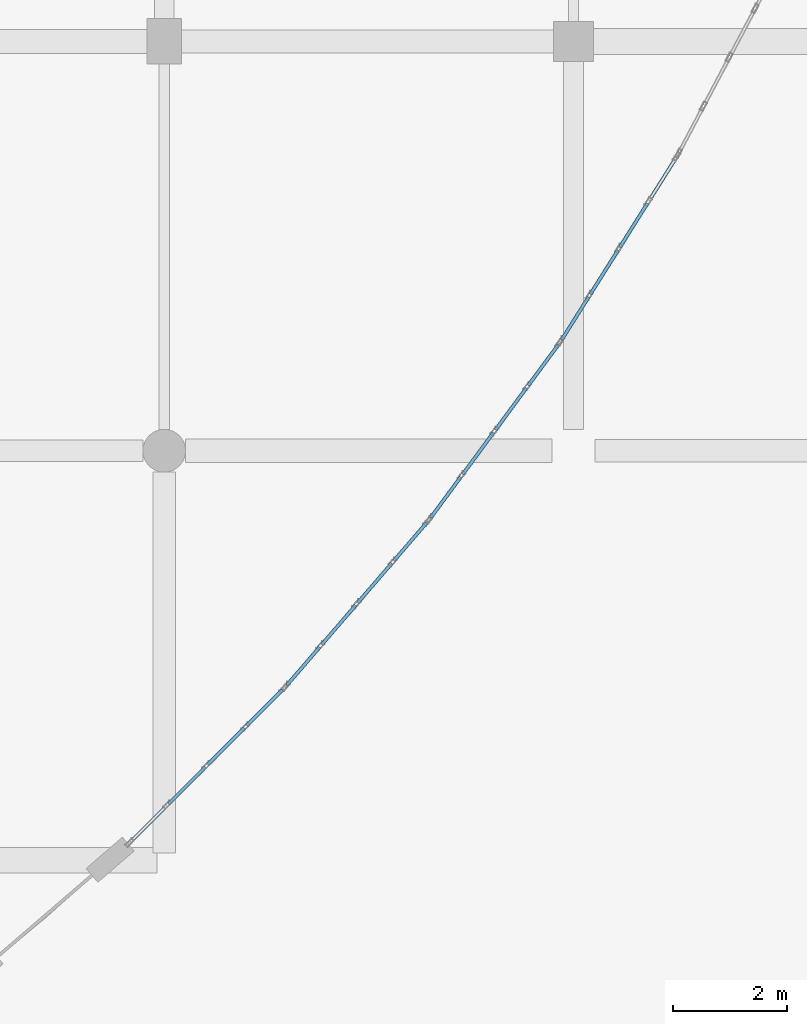
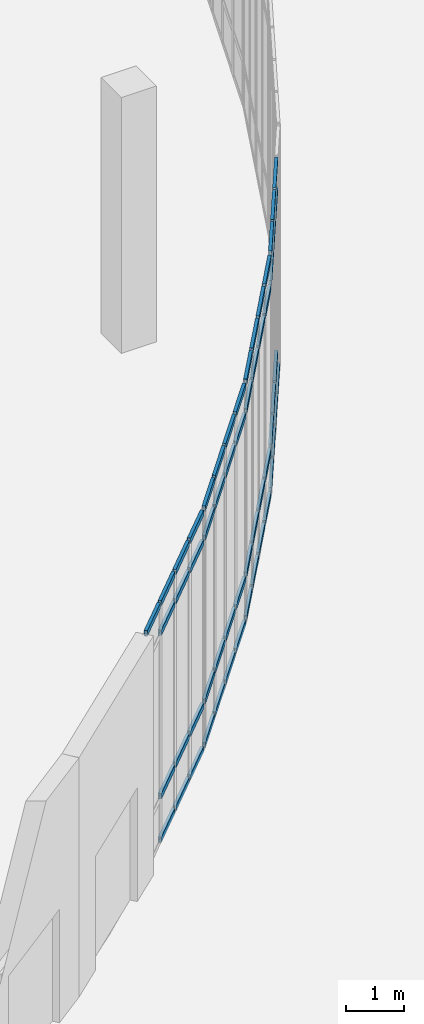
# One storey, part 70 of 110: 58 members, 4 elements without a shape of their own.
"""IFC4 building model written with IfcOpenShell, lengths in metres."""

from ifc_helpers import new_model, si_unit, direction, frame, origin, origin_2d, place, context, subcontext, project, spatial, hollow_rectangle, extrude, material, material_profile, profile_set, type_object, element, aggregate, save


model = new_model("IFC4")

# Units and contexts
model_context = context("Model", 3, precision=1e-05, world=origin(), true_north=direction((0.0, 1.0)))
body_context = subcontext(model_context, "Body", "Model", "MODEL_VIEW")
ifc_project = project(units=[si_unit("LENGTHUNIT", "METRE"), si_unit("AREAUNIT", "SQUARE_METRE"), si_unit("VOLUMEUNIT", "CUBIC_METRE"), si_unit("PLANEANGLEUNIT", "RADIAN"), si_unit("MASSUNIT", "GRAM", prefix="KILO")], contexts=[model_context])

# Site, building, storey
site_placement = place(None, origin())
site = spatial("IfcSite", under=ifc_project, at=site_placement, CompositionType="ELEMENT")
building_placement = place(site_placement, origin())
building = spatial("IfcBuilding", under=site, at=building_placement, Name="Kalluvel Institute of Natural Sciences", CompositionType="ELEMENT")
storey_placement = place(building_placement, origin())
storey = spatial("IfcBuildingStorey", under=building, at=storey_placement, Name="L00", CompositionType="ELEMENT", Elevation=0.0)

# Curtain wall, members
ifc_material = material(Name="Aluminium AW-6063 T6", Category="aluminium")
curtain_wall_type = type_object("IfcCurtainWallType", Name="CW-ATR-L00", PredefinedType="USERDEFINED", material=ifc_material)
curtain_wall_1_placement = place(storey_placement, origin())
curtain_wall_1 = element("IfcCurtainWall", 1, at=curtain_wall_1_placement, inside=storey, type_object=curtain_wall_type, Name="L00 Gothic lancet curtain wall CWA-L00-X710-Y647", ObjectType="UNITISED LANCET FACADE", PredefinedType="USERDEFINED")
ifc_material_profile = material_profile(ifc_material, hollow_rectangle(XDim=0.06005859375, YDim=0.1201171875, WallThickness=0.00390625, at=origin_2d()), Name="CWT 60x120")
ifc_profile_set = profile_set([ifc_material_profile], Name="Aluminium AW-6063 T6")
member_type = type_object("IfcMemberType", Name="CWT-60x120", PredefinedType="USERDEFINED", material=ifc_profile_set)
member_1_placement = place(storey_placement, frame((71.011474609375, 64.7236328125, 5.02001953125), z_axis=(0.707106781187, 0.707106781187, 0.0), x_axis=(-0.707106781187, 0.707106781187, 0.0)))
member_1 = element("IfcMember", 2, at=member_1_placement, type_object=member_type, Name="CW-06 transom 1.4", ObjectType="TRANSOM", PredefinedType="USERDEFINED", context=body_context, shape_type="SweptSolid", body=[
    extrude(hollow_rectangle(XDim=0.06005859375, YDim=0.1201171875, WallThickness=0.00390625, at=origin_2d()), origin(), (0.0, 0.0, 1.0), 0.882080078125),
])
member_2_placement = place(storey_placement, frame((71.677734375, 65.389892578125, 0.030029296875), z_axis=(0.707106781187, 0.707106781187, 0.0), x_axis=(-0.707106781187, 0.707106781187, 0.0)))
member_2 = element("IfcMember", 3, at=member_2_placement, type_object=member_type, Name="CW-06 transom 2.1", ObjectType="TRANSOM", PredefinedType="USERDEFINED", context=body_context, shape_type="SweptSolid", body=[
    extrude(hollow_rectangle(XDim=0.06005859375, YDim=0.1201171875, WallThickness=0.00390625, at=origin_2d()), origin(), (0.0, 0.0, 1.0), 0.912109375),
])
member_3_placement = place(storey_placement, frame((71.677734375, 65.389892578125, 0.949951171875), z_axis=(0.707106781187, 0.707106781187, 0.0), x_axis=(-0.707106781187, 0.707106781187, 0.0)))
member_3 = element("IfcMember", 4, at=member_3_placement, type_object=member_type, Name="CW-06 transom 2.2", ObjectType="TRANSOM", PredefinedType="USERDEFINED", context=body_context, shape_type="SweptSolid", body=[
    extrude(hollow_rectangle(XDim=0.06005859375, YDim=0.1201171875, WallThickness=0.00390625, at=origin_2d()), origin(), (0.0, 0.0, 1.0), 0.912109375),
])
member_4_placement = place(storey_placement, frame((71.677734375, 65.389892578125, 4.39990234375), z_axis=(0.707106781187, 0.707106781187, 0.0), x_axis=(-0.707106781187, 0.707106781187, 0.0)))
member_4 = element("IfcMember", 5, at=member_4_placement, type_object=member_type, Name="CW-06 transom 2.3", ObjectType="TRANSOM", PredefinedType="USERDEFINED", context=body_context, shape_type="SweptSolid", body=[
    extrude(hollow_rectangle(XDim=0.06005859375, YDim=0.1201171875, WallThickness=0.00390625, at=origin_2d()), origin(), (0.0, 0.0, 1.0), 0.912109375),
])
member_5_placement = place(storey_placement, frame((71.677734375, 65.389892578125, 5.02001953125), z_axis=(0.707106781187, 0.707106781187, 0.0), x_axis=(-0.707106781187, 0.707106781187, 0.0)))
member_5 = element("IfcMember", 6, at=member_5_placement, type_object=member_type, Name="CW-06 transom 2.4", ObjectType="TRANSOM", PredefinedType="USERDEFINED", context=body_context, shape_type="SweptSolid", body=[
    extrude(hollow_rectangle(XDim=0.06005859375, YDim=0.1201171875, WallThickness=0.00390625, at=origin_2d()), origin(), (0.0, 0.0, 1.0), 0.912109375),
])
member_6_placement = place(storey_placement, frame((72.364990234375, 66.077392578125, 0.030029296875), z_axis=(0.707106781187, 0.707106781187, 0.0), x_axis=(-0.707106781187, 0.707106781187, 0.0)))
member_6 = element("IfcMember", 7, at=member_6_placement, type_object=member_type, Name="CW-06 transom 3.1", ObjectType="TRANSOM", PredefinedType="USERDEFINED", context=body_context, shape_type="SweptSolid", body=[
    extrude(hollow_rectangle(XDim=0.06005859375, YDim=0.1201171875, WallThickness=0.00390625, at=origin_2d()), origin(), (0.0, 0.0, 1.0), 0.912109375),
])
member_7_placement = place(storey_placement, frame((72.364990234375, 66.077392578125, 0.949951171875), z_axis=(0.707106781187, 0.707106781187, 0.0), x_axis=(-0.707106781187, 0.707106781187, 0.0)))
member_7 = element("IfcMember", 8, at=member_7_placement, type_object=member_type, Name="CW-06 transom 3.2", ObjectType="TRANSOM", PredefinedType="USERDEFINED", context=body_context, shape_type="SweptSolid", body=[
    extrude(hollow_rectangle(XDim=0.06005859375, YDim=0.1201171875, WallThickness=0.00390625, at=origin_2d()), origin(), (0.0, 0.0, 1.0), 0.912109375),
])
member_8_placement = place(storey_placement, frame((72.364990234375, 66.077392578125, 4.39990234375), z_axis=(0.707106781187, 0.707106781187, 0.0), x_axis=(-0.707106781187, 0.707106781187, 0.0)))
member_8 = element("IfcMember", 9, at=member_8_placement, type_object=member_type, Name="CW-06 transom 3.3", ObjectType="TRANSOM", PredefinedType="USERDEFINED", context=body_context, shape_type="SweptSolid", body=[
    extrude(hollow_rectangle(XDim=0.06005859375, YDim=0.1201171875, WallThickness=0.00390625, at=origin_2d()), origin(), (0.0, 0.0, 1.0), 0.912109375),
])
member_9_placement = place(storey_placement, frame((72.364990234375, 66.077392578125, 5.02001953125), z_axis=(0.707106781187, 0.707106781187, 0.0), x_axis=(-0.707106781187, 0.707106781187, 0.0)))
member_9 = element("IfcMember", 10, at=member_9_placement, type_object=member_type, Name="CW-06 transom 3.4", ObjectType="TRANSOM", PredefinedType="USERDEFINED", context=body_context, shape_type="SweptSolid", body=[
    extrude(hollow_rectangle(XDim=0.06005859375, YDim=0.1201171875, WallThickness=0.00390625, at=origin_2d()), origin(), (0.0, 0.0, 1.0), 0.912109375),
])
member_10_placement = place(storey_placement, frame((73.052490234375, 66.764892578125, 0.030029296875), z_axis=(0.707106781187, 0.707106781187, 0.0), x_axis=(-0.707106781187, 0.707106781187, 0.0)))
member_10 = element("IfcMember", 11, at=member_10_placement, type_object=member_type, Name="CW-06 transom 4.1", ObjectType="TRANSOM", PredefinedType="USERDEFINED", context=body_context, shape_type="SweptSolid", body=[
    extrude(hollow_rectangle(XDim=0.06005859375, YDim=0.1201171875, WallThickness=0.00390625, at=origin_2d()), origin(), (0.0, 0.0, 1.0), 0.882080078125),
])
member_11_placement = place(storey_placement, frame((73.052490234375, 66.764892578125, 0.949951171875), z_axis=(0.707106781187, 0.707106781187, 0.0), x_axis=(-0.707106781187, 0.707106781187, 0.0)))
member_11 = element("IfcMember", 12, at=member_11_placement, type_object=member_type, Name="CW-06 transom 4.2", ObjectType="TRANSOM", PredefinedType="USERDEFINED", context=body_context, shape_type="SweptSolid", body=[
    extrude(hollow_rectangle(XDim=0.06005859375, YDim=0.1201171875, WallThickness=0.00390625, at=origin_2d()), origin(), (0.0, 0.0, 1.0), 0.882080078125),
])
member_12_placement = place(storey_placement, frame((73.052490234375, 66.764892578125, 4.39990234375), z_axis=(0.707106781187, 0.707106781187, 0.0), x_axis=(-0.707106781187, 0.707106781187, 0.0)))
member_12 = element("IfcMember", 13, at=member_12_placement, type_object=member_type, Name="CW-06 transom 4.3", ObjectType="TRANSOM", PredefinedType="USERDEFINED", context=body_context, shape_type="SweptSolid", body=[
    extrude(hollow_rectangle(XDim=0.06005859375, YDim=0.1201171875, WallThickness=0.00390625, at=origin_2d()), origin(), (0.0, 0.0, 1.0), 0.882080078125),
])
member_13_placement = place(storey_placement, frame((73.052490234375, 66.764892578125, 5.02001953125), z_axis=(0.707106781187, 0.707106781187, 0.0), x_axis=(-0.707106781187, 0.707106781187, 0.0)))
member_13 = element("IfcMember", 14, at=member_13_placement, type_object=member_type, Name="CW-06 transom 4.4", ObjectType="TRANSOM", PredefinedType="USERDEFINED", context=body_context, shape_type="SweptSolid", body=[
    extrude(hollow_rectangle(XDim=0.06005859375, YDim=0.1201171875, WallThickness=0.00390625, at=origin_2d()), origin(), (0.0, 0.0, 1.0), 0.882080078125),
])
aggregate(curtain_wall_1, [member_1, member_2, member_3, member_4, member_5, member_6, member_7, member_8, member_9, member_10, member_11, member_12, member_13])

curtain_wall_2_placement = place(storey_placement, origin())
curtain_wall_2 = element("IfcCurtainWall", 15, at=curtain_wall_2_placement, inside=storey, type_object=curtain_wall_type, Name="L00 Gothic lancet curtain wall CWA-L00-X737-Y674", ObjectType="UNITISED LANCET FACADE", PredefinedType="USERDEFINED")
member_14_placement = place(storey_placement, frame((73.7578125, 67.4765625, 0.030029296875), z_axis=(0.652408337832, 0.757867640638, 0.0), x_axis=(-0.757867640638, 0.652408337832, 0.0)))
member_14 = element("IfcMember", 16, at=member_14_placement, type_object=member_type, Name="CW-06 transom 1.1", ObjectType="TRANSOM", PredefinedType="USERDEFINED", context=body_context, shape_type="SweptSolid", body=[
    extrude(hollow_rectangle(XDim=0.06005859375, YDim=0.1201171875, WallThickness=0.00390625, at=origin_2d()), origin(), (0.0, 0.0, 1.0), 0.882080078125),
])
member_15_placement = place(storey_placement, frame((73.7578125, 67.4765625, 0.949951171875), z_axis=(0.652408337832, 0.757867640638, 0.0), x_axis=(-0.757867640638, 0.652408337832, 0.0)))
member_15 = element("IfcMember", 17, at=member_15_placement, type_object=member_type, Name="CW-06 transom 1.2", ObjectType="TRANSOM", PredefinedType="USERDEFINED", context=body_context, shape_type="SweptSolid", body=[
    extrude(hollow_rectangle(XDim=0.06005859375, YDim=0.1201171875, WallThickness=0.00390625, at=origin_2d()), origin(), (0.0, 0.0, 1.0), 0.882080078125),
])
member_16_placement = place(storey_placement, frame((73.7578125, 67.4765625, 4.39990234375), z_axis=(0.652408337832, 0.757867640638, 0.0), x_axis=(-0.757867640638, 0.652408337832, 0.0)))
member_16 = element("IfcMember", 18, at=member_16_placement, type_object=member_type, Name="CW-06 transom 1.3", ObjectType="TRANSOM", PredefinedType="USERDEFINED", context=body_context, shape_type="SweptSolid", body=[
    extrude(hollow_rectangle(XDim=0.06005859375, YDim=0.1201171875, WallThickness=0.00390625, at=origin_2d()), origin(), (0.0, 0.0, 1.0), 0.882080078125),
])
member_17_placement = place(storey_placement, frame((73.7578125, 67.4765625, 5.02001953125), z_axis=(0.652408337832, 0.757867640638, 0.0), x_axis=(-0.757867640638, 0.652408337832, 0.0)))
member_17 = element("IfcMember", 19, at=member_17_placement, type_object=member_type, Name="CW-06 transom 1.4", ObjectType="TRANSOM", PredefinedType="USERDEFINED", context=body_context, shape_type="SweptSolid", body=[
    extrude(hollow_rectangle(XDim=0.06005859375, YDim=0.1201171875, WallThickness=0.00390625, at=origin_2d()), origin(), (0.0, 0.0, 1.0), 0.882080078125),
])
member_18_placement = place(storey_placement, frame((74.372314453125, 68.190673828125, 0.030029296875), z_axis=(0.652266949451, 0.757989331491, 0.0), x_axis=(-0.757989331491, 0.652266949451, 0.0)))
member_18 = element("IfcMember", 20, at=member_18_placement, type_object=member_type, Name="CW-06 transom 2.1", ObjectType="TRANSOM", PredefinedType="USERDEFINED", context=body_context, shape_type="SweptSolid", body=[
    extrude(hollow_rectangle(XDim=0.06005859375, YDim=0.1201171875, WallThickness=0.00390625, at=origin_2d()), origin(), (0.0, 0.0, 1.0), 0.912109375),
])
member_19_placement = place(storey_placement, frame((74.372314453125, 68.190673828125, 0.949951171875), z_axis=(0.652266949451, 0.757989331491, 0.0), x_axis=(-0.757989331491, 0.652266949451, 0.0)))
member_19 = element("IfcMember", 21, at=member_19_placement, type_object=member_type, Name="CW-06 transom 2.2", ObjectType="TRANSOM", PredefinedType="USERDEFINED", context=body_context, shape_type="SweptSolid", body=[
    extrude(hollow_rectangle(XDim=0.06005859375, YDim=0.1201171875, WallThickness=0.00390625, at=origin_2d()), origin(), (0.0, 0.0, 1.0), 0.912109375),
])
member_20_placement = place(storey_placement, frame((74.372314453125, 68.190673828125, 4.39990234375), z_axis=(0.652266949451, 0.757989331491, 0.0), x_axis=(-0.757989331491, 0.652266949451, 0.0)))
member_20 = element("IfcMember", 22, at=member_20_placement, type_object=member_type, Name="CW-06 transom 2.3", ObjectType="TRANSOM", PredefinedType="USERDEFINED", context=body_context, shape_type="SweptSolid", body=[
    extrude(hollow_rectangle(XDim=0.06005859375, YDim=0.1201171875, WallThickness=0.00390625, at=origin_2d()), origin(), (0.0, 0.0, 1.0), 0.912109375),
])
member_21_placement = place(storey_placement, frame((74.372314453125, 68.190673828125, 5.02001953125), z_axis=(0.652266949451, 0.757989331491, 0.0), x_axis=(-0.757989331491, 0.652266949451, 0.0)))
member_21 = element("IfcMember", 23, at=member_21_placement, type_object=member_type, Name="CW-06 transom 2.4", ObjectType="TRANSOM", PredefinedType="USERDEFINED", context=body_context, shape_type="SweptSolid", body=[
    extrude(hollow_rectangle(XDim=0.06005859375, YDim=0.1201171875, WallThickness=0.00390625, at=origin_2d()), origin(), (0.0, 0.0, 1.0), 0.912109375),
])
member_22_placement = place(storey_placement, frame((75.006591796875, 68.927490234375, 0.030029296875), z_axis=(0.652266949451, 0.757989331491, 0.0), x_axis=(-0.757989331491, 0.652266949451, 0.0)))
member_22 = element("IfcMember", 24, at=member_22_placement, type_object=member_type, Name="CW-06 transom 3.1", ObjectType="TRANSOM", PredefinedType="USERDEFINED", context=body_context, shape_type="SweptSolid", body=[
    extrude(hollow_rectangle(XDim=0.06005859375, YDim=0.1201171875, WallThickness=0.00390625, at=origin_2d()), origin(), (0.0, 0.0, 1.0), 0.912109375),
])
member_23_placement = place(storey_placement, frame((75.006591796875, 68.927490234375, 0.949951171875), z_axis=(0.652266949451, 0.757989331491, 0.0), x_axis=(-0.757989331491, 0.652266949451, 0.0)))
member_23 = element("IfcMember", 25, at=member_23_placement, type_object=member_type, Name="CW-06 transom 3.2", ObjectType="TRANSOM", PredefinedType="USERDEFINED", context=body_context, shape_type="SweptSolid", body=[
    extrude(hollow_rectangle(XDim=0.06005859375, YDim=0.1201171875, WallThickness=0.00390625, at=origin_2d()), origin(), (0.0, 0.0, 1.0), 0.912109375),
])
member_24_placement = place(storey_placement, frame((75.006591796875, 68.927490234375, 4.39990234375), z_axis=(0.652266949451, 0.757989331491, 0.0), x_axis=(-0.757989331491, 0.652266949451, 0.0)))
member_24 = element("IfcMember", 26, at=member_24_placement, type_object=member_type, Name="CW-06 transom 3.3", ObjectType="TRANSOM", PredefinedType="USERDEFINED", context=body_context, shape_type="SweptSolid", body=[
    extrude(hollow_rectangle(XDim=0.06005859375, YDim=0.1201171875, WallThickness=0.00390625, at=origin_2d()), origin(), (0.0, 0.0, 1.0), 0.912109375),
])
member_25_placement = place(storey_placement, frame((75.006591796875, 68.927490234375, 5.02001953125), z_axis=(0.652266949451, 0.757989331491, 0.0), x_axis=(-0.757989331491, 0.652266949451, 0.0)))
member_25 = element("IfcMember", 27, at=member_25_placement, type_object=member_type, Name="CW-06 transom 3.4", ObjectType="TRANSOM", PredefinedType="USERDEFINED", context=body_context, shape_type="SweptSolid", body=[
    extrude(hollow_rectangle(XDim=0.06005859375, YDim=0.1201171875, WallThickness=0.00390625, at=origin_2d()), origin(), (0.0, 0.0, 1.0), 0.912109375),
])
member_26_placement = place(storey_placement, frame((75.640625, 69.664306640625, 0.030029296875), z_axis=(0.652271497086, 0.757985418124, 0.0), x_axis=(-0.757985418124, 0.652271497086, 0.0)))
member_26 = element("IfcMember", 28, at=member_26_placement, type_object=member_type, Name="CW-06 transom 4.1", ObjectType="TRANSOM", PredefinedType="USERDEFINED", context=body_context, shape_type="SweptSolid", body=[
    extrude(hollow_rectangle(XDim=0.06005859375, YDim=0.1201171875, WallThickness=0.00390625, at=origin_2d()), origin(), (0.0, 0.0, 1.0), 0.88232421875),
])
member_27_placement = place(storey_placement, frame((75.640625, 69.664306640625, 0.949951171875), z_axis=(0.652271497086, 0.757985418124, 0.0), x_axis=(-0.757985418124, 0.652271497086, 0.0)))
member_27 = element("IfcMember", 29, at=member_27_placement, type_object=member_type, Name="CW-06 transom 4.2", ObjectType="TRANSOM", PredefinedType="USERDEFINED", context=body_context, shape_type="SweptSolid", body=[
    extrude(hollow_rectangle(XDim=0.06005859375, YDim=0.1201171875, WallThickness=0.00390625, at=origin_2d()), origin(), (0.0, 0.0, 1.0), 0.88232421875),
])
member_28_placement = place(storey_placement, frame((75.640625, 69.664306640625, 4.39990234375), z_axis=(0.652271497086, 0.757985418124, 0.0), x_axis=(-0.757985418124, 0.652271497086, 0.0)))
member_28 = element("IfcMember", 30, at=member_28_placement, type_object=member_type, Name="CW-06 transom 4.3", ObjectType="TRANSOM", PredefinedType="USERDEFINED", context=body_context, shape_type="SweptSolid", body=[
    extrude(hollow_rectangle(XDim=0.06005859375, YDim=0.1201171875, WallThickness=0.00390625, at=origin_2d()), origin(), (0.0, 0.0, 1.0), 0.88232421875),
])
member_29_placement = place(storey_placement, frame((75.640625, 69.664306640625, 5.02001953125), z_axis=(0.652271497086, 0.757985418124, 0.0), x_axis=(-0.757985418124, 0.652271497086, 0.0)))
member_29 = element("IfcMember", 31, at=member_29_placement, type_object=member_type, Name="CW-06 transom 4.4", ObjectType="TRANSOM", PredefinedType="USERDEFINED", context=body_context, shape_type="SweptSolid", body=[
    extrude(hollow_rectangle(XDim=0.06005859375, YDim=0.1201171875, WallThickness=0.00390625, at=origin_2d()), origin(), (0.0, 0.0, 1.0), 0.88232421875),
])
aggregate(curtain_wall_2, [member_14, member_15, member_16, member_17, member_18, member_19, member_20, member_21, member_22, member_23, member_24, member_25, member_26, member_27, member_28, member_29])

curtain_wall_3_placement = place(storey_placement, origin())
curtain_wall_3 = element("IfcCurtainWall", 32, at=curtain_wall_3_placement, inside=storey, type_object=curtain_wall_type, Name="L00 Gothic lancet curtain wall CWA-L00-X763-Y704", ObjectType="UNITISED LANCET FACADE", PredefinedType="USERDEFINED")
member_30_placement = place(storey_placement, frame((76.290771484375, 70.4267578125, 0.030029296875), z_axis=(0.593916278689, 0.804526850955, 0.0), x_axis=(-0.804526850955, 0.593916278689, 0.0)))
member_30 = element("IfcMember", 33, at=member_30_placement, type_object=member_type, Name="CW-06 transom 1.1", ObjectType="TRANSOM", PredefinedType="USERDEFINED", context=body_context, shape_type="SweptSolid", body=[
    extrude(hollow_rectangle(XDim=0.06005859375, YDim=0.1201171875, WallThickness=0.00390625, at=origin_2d()), origin(), (0.0, 0.0, 1.0), 0.882080078125),
])
member_31_placement = place(storey_placement, frame((76.290771484375, 70.4267578125, 0.949951171875), z_axis=(0.593916278689, 0.804526850955, 0.0), x_axis=(-0.804526850955, 0.593916278689, 0.0)))
member_31 = element("IfcMember", 34, at=member_31_placement, type_object=member_type, Name="CW-06 transom 1.2", ObjectType="TRANSOM", PredefinedType="USERDEFINED", context=body_context, shape_type="SweptSolid", body=[
    extrude(hollow_rectangle(XDim=0.06005859375, YDim=0.1201171875, WallThickness=0.00390625, at=origin_2d()), origin(), (0.0, 0.0, 1.0), 0.882080078125),
])
member_32_placement = place(storey_placement, frame((76.290771484375, 70.4267578125, 4.39990234375), z_axis=(0.593916278689, 0.804526850955, 0.0), x_axis=(-0.804526850955, 0.593916278689, 0.0)))
member_32 = element("IfcMember", 35, at=member_32_placement, type_object=member_type, Name="CW-06 transom 1.3", ObjectType="TRANSOM", PredefinedType="USERDEFINED", context=body_context, shape_type="SweptSolid", body=[
    extrude(hollow_rectangle(XDim=0.06005859375, YDim=0.1201171875, WallThickness=0.00390625, at=origin_2d()), origin(), (0.0, 0.0, 1.0), 0.882080078125),
])
member_33_placement = place(storey_placement, frame((76.290771484375, 70.4267578125, 5.02001953125), z_axis=(0.593916278689, 0.804526850955, 0.0), x_axis=(-0.804526850955, 0.593916278689, 0.0)))
member_33 = element("IfcMember", 36, at=member_33_placement, type_object=member_type, Name="CW-06 transom 1.4", ObjectType="TRANSOM", PredefinedType="USERDEFINED", context=body_context, shape_type="SweptSolid", body=[
    extrude(hollow_rectangle(XDim=0.06005859375, YDim=0.1201171875, WallThickness=0.00390625, at=origin_2d()), origin(), (0.0, 0.0, 1.0), 0.882080078125),
])
member_34_placement = place(storey_placement, frame((76.850341796875, 71.184814453125, 0.030029296875), z_axis=(0.593901797556, 0.804537540988, 0.0), x_axis=(-0.804537540988, 0.593901797556, 0.0)))
member_34 = element("IfcMember", 37, at=member_34_placement, type_object=member_type, Name="CW-06 transom 2.1", ObjectType="TRANSOM", PredefinedType="USERDEFINED", context=body_context, shape_type="SweptSolid", body=[
    extrude(hollow_rectangle(XDim=0.06005859375, YDim=0.1201171875, WallThickness=0.00390625, at=origin_2d()), origin(), (0.0, 0.0, 1.0), 0.912109375),
])
member_35_placement = place(storey_placement, frame((76.850341796875, 71.184814453125, 0.949951171875), z_axis=(0.593901797556, 0.804537540988, 0.0), x_axis=(-0.804537540988, 0.593901797556, 0.0)))
member_35 = element("IfcMember", 38, at=member_35_placement, type_object=member_type, Name="CW-06 transom 2.2", ObjectType="TRANSOM", PredefinedType="USERDEFINED", context=body_context, shape_type="SweptSolid", body=[
    extrude(hollow_rectangle(XDim=0.06005859375, YDim=0.1201171875, WallThickness=0.00390625, at=origin_2d()), origin(), (0.0, 0.0, 1.0), 0.912109375),
])
member_36_placement = place(storey_placement, frame((76.850341796875, 71.184814453125, 4.39990234375), z_axis=(0.593901797556, 0.804537540988, 0.0), x_axis=(-0.804537540988, 0.593901797556, 0.0)))
member_36 = element("IfcMember", 39, at=member_36_placement, type_object=member_type, Name="CW-06 transom 2.3", ObjectType="TRANSOM", PredefinedType="USERDEFINED", context=body_context, shape_type="SweptSolid", body=[
    extrude(hollow_rectangle(XDim=0.06005859375, YDim=0.1201171875, WallThickness=0.00390625, at=origin_2d()), origin(), (0.0, 0.0, 1.0), 0.912109375),
])
member_37_placement = place(storey_placement, frame((76.850341796875, 71.184814453125, 5.02001953125), z_axis=(0.593901797556, 0.804537540988, 0.0), x_axis=(-0.804537540988, 0.593901797556, 0.0)))
member_37 = element("IfcMember", 40, at=member_37_placement, type_object=member_type, Name="CW-06 transom 2.4", ObjectType="TRANSOM", PredefinedType="USERDEFINED", context=body_context, shape_type="SweptSolid", body=[
    extrude(hollow_rectangle(XDim=0.06005859375, YDim=0.1201171875, WallThickness=0.00390625, at=origin_2d()), origin(), (0.0, 0.0, 1.0), 0.912109375),
])
member_38_placement = place(storey_placement, frame((77.427734375, 71.967041015625, 0.030029296875), z_axis=(0.593728515531, 0.804665427271, 0.0), x_axis=(-0.804665427271, 0.593728515531, 0.0)))
member_38 = element("IfcMember", 41, at=member_38_placement, type_object=member_type, Name="CW-06 transom 3.1", ObjectType="TRANSOM", PredefinedType="USERDEFINED", context=body_context, shape_type="SweptSolid", body=[
    extrude(hollow_rectangle(XDim=0.06005859375, YDim=0.1201171875, WallThickness=0.00390625, at=origin_2d()), origin(), (0.0, 0.0, 1.0), 0.912109375),
])
member_39_placement = place(storey_placement, frame((77.427734375, 71.967041015625, 0.949951171875), z_axis=(0.593728515531, 0.804665427271, 0.0), x_axis=(-0.804665427271, 0.593728515531, 0.0)))
member_39 = element("IfcMember", 42, at=member_39_placement, type_object=member_type, Name="CW-06 transom 3.2", ObjectType="TRANSOM", PredefinedType="USERDEFINED", context=body_context, shape_type="SweptSolid", body=[
    extrude(hollow_rectangle(XDim=0.06005859375, YDim=0.1201171875, WallThickness=0.00390625, at=origin_2d()), origin(), (0.0, 0.0, 1.0), 0.912109375),
])
member_40_placement = place(storey_placement, frame((77.427734375, 71.967041015625, 4.39990234375), z_axis=(0.593728515531, 0.804665427271, 0.0), x_axis=(-0.804665427271, 0.593728515531, 0.0)))
member_40 = element("IfcMember", 43, at=member_40_placement, type_object=member_type, Name="CW-06 transom 3.3", ObjectType="TRANSOM", PredefinedType="USERDEFINED", context=body_context, shape_type="SweptSolid", body=[
    extrude(hollow_rectangle(XDim=0.06005859375, YDim=0.1201171875, WallThickness=0.00390625, at=origin_2d()), origin(), (0.0, 0.0, 1.0), 0.912109375),
])
member_41_placement = place(storey_placement, frame((77.427734375, 71.967041015625, 5.02001953125), z_axis=(0.593728515531, 0.804665427271, 0.0), x_axis=(-0.804665427271, 0.593728515531, 0.0)))
member_41 = element("IfcMember", 44, at=member_41_placement, type_object=member_type, Name="CW-06 transom 3.4", ObjectType="TRANSOM", PredefinedType="USERDEFINED", context=body_context, shape_type="SweptSolid", body=[
    extrude(hollow_rectangle(XDim=0.06005859375, YDim=0.1201171875, WallThickness=0.00390625, at=origin_2d()), origin(), (0.0, 0.0, 1.0), 0.912109375),
])
member_42_placement = place(storey_placement, frame((78.0048828125, 72.749267578125, 0.030029296875), z_axis=(0.593784060583, 0.80462443997, 0.0), x_axis=(-0.80462443997, 0.593784060583, 0.0)))
member_42 = element("IfcMember", 45, at=member_42_placement, type_object=member_type, Name="CW-06 transom 4.1", ObjectType="TRANSOM", PredefinedType="USERDEFINED", context=body_context, shape_type="SweptSolid", body=[
    extrude(hollow_rectangle(XDim=0.06005859375, YDim=0.1201171875, WallThickness=0.00390625, at=origin_2d()), origin(), (0.0, 0.0, 1.0), 0.88232421875),
])
member_43_placement = place(storey_placement, frame((78.0048828125, 72.749267578125, 0.949951171875), z_axis=(0.593784060583, 0.80462443997, 0.0), x_axis=(-0.80462443997, 0.593784060583, 0.0)))
member_43 = element("IfcMember", 46, at=member_43_placement, type_object=member_type, Name="CW-06 transom 4.2", ObjectType="TRANSOM", PredefinedType="USERDEFINED", context=body_context, shape_type="SweptSolid", body=[
    extrude(hollow_rectangle(XDim=0.06005859375, YDim=0.1201171875, WallThickness=0.00390625, at=origin_2d()), origin(), (0.0, 0.0, 1.0), 0.88232421875),
])
member_44_placement = place(storey_placement, frame((78.0048828125, 72.749267578125, 4.39990234375), z_axis=(0.593784060583, 0.80462443997, 0.0), x_axis=(-0.80462443997, 0.593784060583, 0.0)))
member_44 = element("IfcMember", 47, at=member_44_placement, type_object=member_type, Name="CW-06 transom 4.3", ObjectType="TRANSOM", PredefinedType="USERDEFINED", context=body_context, shape_type="SweptSolid", body=[
    extrude(hollow_rectangle(XDim=0.06005859375, YDim=0.1201171875, WallThickness=0.00390625, at=origin_2d()), origin(), (0.0, 0.0, 1.0), 0.88232421875),
])
member_45_placement = place(storey_placement, frame((78.0048828125, 72.749267578125, 5.02001953125), z_axis=(0.593784060583, 0.80462443997, 0.0), x_axis=(-0.80462443997, 0.593784060583, 0.0)))
member_45 = element("IfcMember", 48, at=member_45_placement, type_object=member_type, Name="CW-06 transom 4.4", ObjectType="TRANSOM", PredefinedType="USERDEFINED", context=body_context, shape_type="SweptSolid", body=[
    extrude(hollow_rectangle(XDim=0.06005859375, YDim=0.1201171875, WallThickness=0.00390625, at=origin_2d()), origin(), (0.0, 0.0, 1.0), 0.88232421875),
])
aggregate(curtain_wall_3, [member_30, member_31, member_32, member_33, member_34, member_35, member_36, member_37, member_38, member_39, member_40, member_41, member_42, member_43, member_44, member_45])

curtain_wall_4_placement = place(storey_placement, origin())
curtain_wall_4 = element("IfcCurtainWall", 49, at=curtain_wall_4_placement, inside=storey, type_object=curtain_wall_type, Name="L00 Gothic lancet curtain wall CWA-L00-X786-Y735", ObjectType="UNITISED LANCET FACADE", PredefinedType="USERDEFINED")
member_46_placement = place(storey_placement, frame((78.596435546875, 73.55810546875, 0.030029296875), z_axis=(0.531888139511, 0.84681462378, 0.0), x_axis=(-0.84681462378, 0.531888139511, 0.0)))
member_46 = element("IfcMember", 50, at=member_46_placement, type_object=member_type, Name="CW-06 transom 1.1", ObjectType="TRANSOM", PredefinedType="USERDEFINED", context=body_context, shape_type="SweptSolid", body=[
    extrude(hollow_rectangle(XDim=0.06005859375, YDim=0.1201171875, WallThickness=0.00390625, at=origin_2d()), origin(), (0.0, 0.0, 1.0), 0.88232421875),
])
member_47_placement = place(storey_placement, frame((78.596435546875, 73.55810546875, 0.949951171875), z_axis=(0.531888139511, 0.84681462378, 0.0), x_axis=(-0.84681462378, 0.531888139511, 0.0)))
member_47 = element("IfcMember", 51, at=member_47_placement, type_object=member_type, Name="CW-06 transom 1.2", ObjectType="TRANSOM", PredefinedType="USERDEFINED", context=body_context, shape_type="SweptSolid", body=[
    extrude(hollow_rectangle(XDim=0.06005859375, YDim=0.1201171875, WallThickness=0.00390625, at=origin_2d()), origin(), (0.0, 0.0, 1.0), 0.88232421875),
])
member_48_placement = place(storey_placement, frame((78.596435546875, 73.55810546875, 4.39990234375), z_axis=(0.531888139511, 0.84681462378, 0.0), x_axis=(-0.84681462378, 0.531888139511, 0.0)))
member_48 = element("IfcMember", 52, at=member_48_placement, type_object=member_type, Name="CW-06 transom 1.3", ObjectType="TRANSOM", PredefinedType="USERDEFINED", context=body_context, shape_type="SweptSolid", body=[
    extrude(hollow_rectangle(XDim=0.06005859375, YDim=0.1201171875, WallThickness=0.00390625, at=origin_2d()), origin(), (0.0, 0.0, 1.0), 0.88232421875),
])
member_49_placement = place(storey_placement, frame((78.596435546875, 73.55810546875, 5.02001953125), z_axis=(0.531888139511, 0.84681462378, 0.0), x_axis=(-0.84681462378, 0.531888139511, 0.0)))
member_49 = element("IfcMember", 53, at=member_49_placement, type_object=member_type, Name="CW-06 transom 1.4", ObjectType="TRANSOM", PredefinedType="USERDEFINED", context=body_context, shape_type="SweptSolid", body=[
    extrude(hollow_rectangle(XDim=0.06005859375, YDim=0.1201171875, WallThickness=0.00390625, at=origin_2d()), origin(), (0.0, 0.0, 1.0), 0.88232421875),
])
member_50_placement = place(storey_placement, frame((79.09765625, 74.35595703125, 0.030029296875), z_axis=(0.53201807689, 0.846732995614, 0.0), x_axis=(-0.846732995614, 0.53201807689, 0.0)))
member_50 = element("IfcMember", 54, at=member_50_placement, type_object=member_type, Name="CW-06 transom 2.1", ObjectType="TRANSOM", PredefinedType="USERDEFINED", context=body_context, shape_type="SweptSolid", body=[
    extrude(hollow_rectangle(XDim=0.06005859375, YDim=0.1201171875, WallThickness=0.00390625, at=origin_2d()), origin(), (0.0, 0.0, 1.0), 0.912353515625),
])
member_51_placement = place(storey_placement, frame((79.09765625, 74.35595703125, 0.949951171875), z_axis=(0.53201807689, 0.846732995614, 0.0), x_axis=(-0.846732995614, 0.53201807689, 0.0)))
member_51 = element("IfcMember", 55, at=member_51_placement, type_object=member_type, Name="CW-06 transom 2.2", ObjectType="TRANSOM", PredefinedType="USERDEFINED", context=body_context, shape_type="SweptSolid", body=[
    extrude(hollow_rectangle(XDim=0.06005859375, YDim=0.1201171875, WallThickness=0.00390625, at=origin_2d()), origin(), (0.0, 0.0, 1.0), 0.912353515625),
])
member_52_placement = place(storey_placement, frame((79.09765625, 74.35595703125, 4.39990234375), z_axis=(0.53201807689, 0.846732995614, 0.0), x_axis=(-0.846732995614, 0.53201807689, 0.0)))
member_52 = element("IfcMember", 56, at=member_52_placement, type_object=member_type, Name="CW-06 transom 2.3", ObjectType="TRANSOM", PredefinedType="USERDEFINED", context=body_context, shape_type="SweptSolid", body=[
    extrude(hollow_rectangle(XDim=0.06005859375, YDim=0.1201171875, WallThickness=0.00390625, at=origin_2d()), origin(), (0.0, 0.0, 1.0), 0.912353515625),
])
member_53_placement = place(storey_placement, frame((79.09765625, 74.35595703125, 5.02001953125), z_axis=(0.53201807689, 0.846732995614, 0.0), x_axis=(-0.846732995614, 0.53201807689, 0.0)))
member_53 = element("IfcMember", 57, at=member_53_placement, type_object=member_type, Name="CW-06 transom 2.4", ObjectType="TRANSOM", PredefinedType="USERDEFINED", context=body_context, shape_type="SweptSolid", body=[
    extrude(hollow_rectangle(XDim=0.06005859375, YDim=0.1201171875, WallThickness=0.00390625, at=origin_2d()), origin(), (0.0, 0.0, 1.0), 0.912353515625),
])
member_54_placement = place(storey_placement, frame((79.61474609375, 75.17919921875, 0.030029296875), z_axis=(0.532138653167, 0.846657223323, 0.0), x_axis=(-0.846657223323, 0.532138653167, 0.0)))
member_54 = element("IfcMember", 58, at=member_54_placement, type_object=member_type, Name="CW-06 transom 3.1", ObjectType="TRANSOM", PredefinedType="USERDEFINED", context=body_context, shape_type="SweptSolid", body=[
    extrude(hollow_rectangle(XDim=0.06005859375, YDim=0.1201171875, WallThickness=0.00390625, at=origin_2d()), origin(), (0.0, 0.0, 1.0), 0.912109375),
])
member_55_placement = place(storey_placement, frame((79.61474609375, 75.17919921875, 0.949951171875), z_axis=(0.532138653167, 0.846657223323, 0.0), x_axis=(-0.846657223323, 0.532138653167, 0.0)))
member_55 = element("IfcMember", 59, at=member_55_placement, type_object=member_type, Name="CW-06 transom 3.2", ObjectType="TRANSOM", PredefinedType="USERDEFINED", context=body_context, shape_type="SweptSolid", body=[
    extrude(hollow_rectangle(XDim=0.06005859375, YDim=0.1201171875, WallThickness=0.00390625, at=origin_2d()), origin(), (0.0, 0.0, 1.0), 0.912109375),
])
member_56_placement = place(storey_placement, frame((79.61474609375, 75.17919921875, 4.39990234375), z_axis=(0.532138653167, 0.846657223323, 0.0), x_axis=(-0.846657223323, 0.532138653167, 0.0)))
member_56 = element("IfcMember", 60, at=member_56_placement, type_object=member_type, Name="CW-06 transom 3.3", ObjectType="TRANSOM", PredefinedType="USERDEFINED", context=body_context, shape_type="SweptSolid", body=[
    extrude(hollow_rectangle(XDim=0.06005859375, YDim=0.1201171875, WallThickness=0.00390625, at=origin_2d()), origin(), (0.0, 0.0, 1.0), 0.912109375),
])
member_57_placement = place(storey_placement, frame((79.61474609375, 75.17919921875, 5.02001953125), z_axis=(0.532138653167, 0.846657223323, 0.0), x_axis=(-0.846657223323, 0.532138653167, 0.0)))
member_57 = element("IfcMember", 61, at=member_57_placement, type_object=member_type, Name="CW-06 transom 3.4", ObjectType="TRANSOM", PredefinedType="USERDEFINED", context=body_context, shape_type="SweptSolid", body=[
    extrude(hollow_rectangle(XDim=0.06005859375, YDim=0.1201171875, WallThickness=0.00390625, at=origin_2d()), origin(), (0.0, 0.0, 1.0), 0.912109375),
])
member_58_placement = place(storey_placement, frame((80.132080078125, 76.002197265625, 0.030029296875), z_axis=(0.531888139511, 0.84681462378, 0.0), x_axis=(-0.84681462378, 0.531888139511, 0.0)))
member_58 = element("IfcMember", 62, at=member_58_placement, type_object=member_type, Name="CW-06 transom 4.1", ObjectType="TRANSOM", PredefinedType="USERDEFINED", context=body_context, shape_type="SweptSolid", body=[
    extrude(hollow_rectangle(XDim=0.06005859375, YDim=0.1201171875, WallThickness=0.00390625, at=origin_2d()), origin(), (0.0, 0.0, 1.0), 0.88232421875),
])
aggregate(curtain_wall_4, [member_46, member_47, member_48, member_49, member_50, member_51, member_52, member_53, member_54, member_55, member_56, member_57, member_58])

save(model, "model.ifc")
